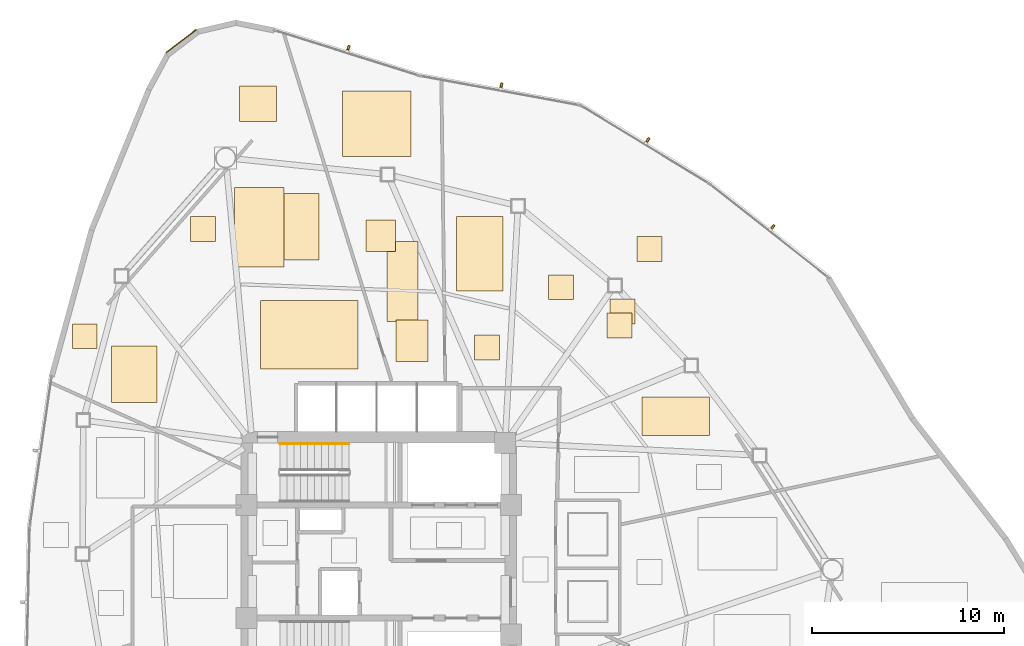
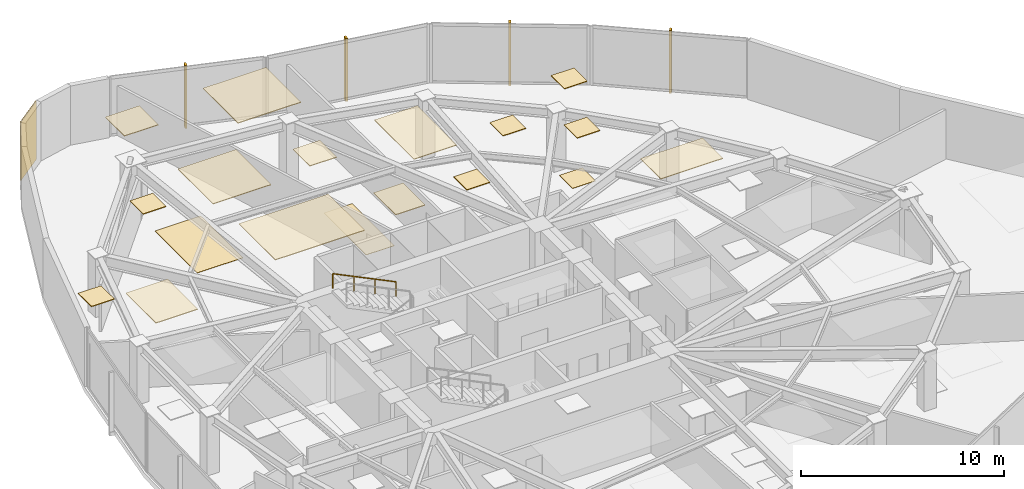
# One storey, part 16 of 16: 19 coverings, 4 shading devices, 1 railing.
"""IFC4 building model written with IfcOpenShell, lengths in metres."""

import ifcopenshell
import ifcopenshell.guid

model = None  # the IFC model being written
_history = None  # IfcOwnerHistory: only IFC2X3 demands one
_inside = {}  # id of a spatial element -> (the spatial element, [elements in it])
_under = {}  # id of a project, library or spatial element -> (it, [spatial elements below it])
_declared = {}  # id of a project -> (the project, [libraries it declares])
_typed = {}  # id of a type object -> (the type object, [elements of that type])
_made_of = {}  # id of a material, layer set ... -> (it, [elements and type objects made of it])


def new_model(schema):
    """Start an empty IFC model of exactly this schema.

    Asked for "IFC4X3", IfcOpenShell would pick the latest addendum, in which some entities
    have other attributes; the version numbers below select the first issue.
    IFC2X3 requires an IfcOwnerHistory on every rooted entity: one is made here for all.
    """
    global model, _history
    if schema == "IFC4X3":
        model = ifcopenshell.file(schema_version=(4, 3, 0, 0))
    else:
        model = ifcopenshell.file(schema=schema)
    _inside.clear()
    _under.clear()
    _declared.clear()
    _typed.clear()
    _made_of.clear()
    _history = None
    if model.schema == "IFC2X3":
        org = make("IfcOrganization", Name="unknown")
        user = make(
            "IfcPersonAndOrganization",
            ThePerson=make("IfcPerson", FamilyName="unknown"),
            TheOrganization=org,
        )
        app = make(
            "IfcApplication",
            ApplicationDeveloper=org,
            Version="unknown",
            ApplicationFullName="unknown",
            ApplicationIdentifier="unknown",
        )
        _history = make(
            "IfcOwnerHistory",
            OwningUser=user,
            OwningApplication=app,
            ChangeAction="ADDED",
            CreationDate=0,
        )
    return model


def make(cls, **values):
    """One entity of the class cls with the attributes given. An attribute that is None is left unset."""
    return model.create_entity(
        cls, **{name: value for name, value in values.items() if value is not None}
    )


def rooted(cls, **values):
    """An entity with a GlobalId (a new one), such as an element, a storey or a relation."""
    return make(cls, GlobalId=ifcopenshell.guid.new(), OwnerHistory=_history, **values)


def si_unit(unit_type, name, prefix=None):
    """IfcSIUnit, for example si_unit("LENGTHUNIT", "METRE", prefix="MILLI")."""
    return make("IfcSIUnit", UnitType=unit_type, Prefix=prefix, Name=name)


def assignment(units):
    """IfcUnitAssignment: the units of a project."""
    return None if units is None else make("IfcUnitAssignment", Units=units)


def point(xyz):
    """IfcCartesianPoint."""
    return None if xyz is None else make("IfcCartesianPoint", Coordinates=xyz)


def direction(xyz):
    """IfcDirection."""
    return None if xyz is None else make("IfcDirection", DirectionRatios=xyz)


def frame(location, z_axis=None, x_axis=None):
    """IfcAxis2Placement3D, a coordinate frame: its origin and axes. An axis left out is left unset."""
    return make(
        "IfcAxis2Placement3D",
        Location=point(location),
        Axis=direction(z_axis),
        RefDirection=direction(x_axis),
    )


def frame_2d(location, x_axis=None):
    """IfcAxis2Placement2D, a coordinate frame in the plane: its origin and x axis."""
    return make(
        "IfcAxis2Placement2D", Location=point(location), RefDirection=direction(x_axis)
    )


def origin():
    """The frame at (0, 0, 0) with its axes left unset."""
    return frame((0.0, 0.0, 0.0))


def origin_2d():
    """The frame at (0, 0) in the plane with its x axis left unset."""
    return frame_2d((0.0, 0.0))


def place(relative_to, where):
    """IfcLocalPlacement: puts the frame where relative to a parent placement (None: the world)."""
    return make(
        "IfcLocalPlacement", PlacementRelTo=relative_to, RelativePlacement=where
    )


def context(
    kind, dimensions, precision=None, world=None, true_north=None, identifier=None
):
    """IfcGeometricRepresentationContext, for example the 3D "Model" context."""
    return make(
        "IfcGeometricRepresentationContext",
        ContextIdentifier=identifier,
        ContextType=kind,
        CoordinateSpaceDimension=dimensions,
        Precision=precision,
        WorldCoordinateSystem=world,
        TrueNorth=true_north,
    )


def subcontext(parent, identifier, kind, view, scale=None):
    """IfcGeometricRepresentationSubContext, for example "Body" below "Model"."""
    return make(
        "IfcGeometricRepresentationSubContext",
        ContextIdentifier=identifier,
        ContextType=kind,
        ParentContext=parent,
        TargetScale=scale,
        TargetView=view,
    )


def project(units=None, contexts=None):
    """IfcProject with its units and contexts."""
    return rooted(
        "IfcProject",
        Name="project",
        RepresentationContexts=contexts,
        UnitsInContext=assignment(units),
    )


def spatial(cls, under=None, at=None, **own):
    """A site, building, storey or space (cls), placed at a placement, below another one or the project."""
    s = rooted(cls, ObjectPlacement=at, **own)
    if under is not None:
        _under.setdefault(under.id(), (under, []))[1].append(s)
    return s


def polyline(points):
    """IfcPolyline through the points."""
    return make("IfcPolyline", Points=[point(p) for p in points])


def profile(cls, at=None, kind="AREA", **sizes):
    """A parametric profile (cls). Its sizes go by their IFC names, for example OverallWidth=200.0."""
    return make(cls, ProfileType=kind, Position=at, **sizes)


def rectangle(**sizes):
    """IfcRectangleProfileDef."""
    return profile("IfcRectangleProfileDef", **sizes)


def outline(outer, holes=None, kind="AREA"):
    """IfcArbitraryClosedProfileDef: a profile drawn as a closed curve; with holes, ...WithVoids."""
    if holes is None:
        return make("IfcArbitraryClosedProfileDef", ProfileType=kind, OuterCurve=outer)
    return make(
        "IfcArbitraryProfileDefWithVoids",
        ProfileType=kind,
        OuterCurve=outer,
        InnerCurves=holes,
    )


def extrude(swept, where, along, depth):
    """IfcExtrudedAreaSolid: the profile swept, set in the frame where, extruded along a direction by depth."""
    return make(
        "IfcExtrudedAreaSolid",
        SweptArea=swept,
        Position=where,
        ExtrudedDirection=direction(along),
        Depth=depth,
    )


def shape(context_of_items, identifier, shape_type, items):
    """IfcShapeRepresentation: the items that make up one representation, for example the "Body"."""
    return make(
        "IfcShapeRepresentation",
        ContextOfItems=context_of_items,
        RepresentationIdentifier=identifier,
        RepresentationType=shape_type,
        Items=items,
    )


def source(mapping_origin, context_of_items, identifier, shape_type, items):
    """IfcRepresentationMap: a shape defined once, which mapped items show again and again."""
    return make(
        "IfcRepresentationMap",
        MappingOrigin=mapping_origin,
        MappedRepresentation=shape(context_of_items, identifier, shape_type, items),
    )


def transform(
    local_origin,
    x_axis=None,
    y_axis=None,
    z_axis=None,
    scale=None,
    scale2=None,
    scale3=None,
    uniform=True,
):
    """IfcCartesianTransformationOperator3D, or its non-uniform kind. x_axis, y_axis, z_axis: its Axis1, 2, 3."""
    if uniform:
        return make(
            "IfcCartesianTransformationOperator3D",
            Axis1=direction(x_axis),
            Axis2=direction(y_axis),
            LocalOrigin=point(local_origin),
            Scale=scale,
            Axis3=direction(z_axis),
        )
    return make(
        "IfcCartesianTransformationOperator3DnonUniform",
        Axis1=direction(x_axis),
        Axis2=direction(y_axis),
        LocalOrigin=point(local_origin),
        Scale=scale,
        Axis3=direction(z_axis),
        Scale2=scale2,
        Scale3=scale3,
    )


def mapped(mapping_source, mapping_target):
    """IfcMappedItem: shows the shape of a source again, moved by a transform."""
    return make(
        "IfcMappedItem", MappingSource=mapping_source, MappingTarget=mapping_target
    )


def material(Name=None, Category=None):
    """IfcMaterial."""
    return make("IfcMaterial", Name=Name, Category=Category)


def layer(
    of_material, thickness, ventilated=None, Name=None, Category=None, Priority=None
):
    """IfcMaterialLayer: one layer of a wall or slab, of a material (None: an air gap)."""
    return make(
        "IfcMaterialLayer",
        Material=of_material,
        LayerThickness=thickness,
        IsVentilated=ventilated,
        Name=Name,
        Category=Category,
        Priority=Priority,
    )


def layer_set(layers, Name=None):
    """IfcMaterialLayerSet."""
    return make("IfcMaterialLayerSet", MaterialLayers=layers, LayerSetName=Name)


def made_of(thing, what):
    """Note that an element or type object is made of a material, layer set ...; save() writes the relation."""
    if what is not None:
        _made_of.setdefault(what.id(), (what, []))[1].append(thing)
    return thing


def type_object(cls, material=None, **own):
    """A type object (cls), such as IfcWallType, which elements share."""
    return made_of(rooted(cls, **own), material)


def type_shapes(of_type, sources):
    """Give a type object the sources (RepresentationMaps) that its elements show as mapped items."""
    of_type.RepresentationMaps = sources


def element(
    cls,
    number,
    at=None,
    inside=None,
    cuts=None,
    type_object=None,
    material=None,
    context=None,
    identifier="Body",
    shape_type=None,
    held_by="IfcProductDefinitionShape",
    body=None,
    shapes=None,
    **own,
):
    """One element of the class cls, such as IfcWall. Its Tag is "e" and its number.

    at: its placement. inside: the storey or other place that contains it. cuts: it is an
    opening in that element (IfcRelVoidsElement). A single representation is given by context,
    identifier, shape_type and body (its items); several are given by shapes. held_by: the class
    of the entity that holds the representations. save() writes the other relations.
    """
    e = rooted(cls, Tag="e%d" % number, ObjectPlacement=at, **own)
    if body is not None:
        shapes = [shape(context, identifier, shape_type, body)]
    if shapes is not None:
        e.Representation = make(held_by, Representations=shapes)
    if inside is not None:
        _inside.setdefault(inside.id(), (inside, []))[1].append(e)
    if cuts is not None:
        rooted(
            "IfcRelVoidsElement", RelatingBuildingElement=cuts, RelatedOpeningElement=e
        )
    if type_object is not None:
        _typed.setdefault(type_object.id(), (type_object, []))[1].append(e)
    return made_of(e, material)


def aggregate(whole, parts):
    """IfcRelAggregates: a whole, such as a stair, and the parts it consists of."""
    return rooted("IfcRelAggregates", RelatingObject=whole, RelatedObjects=parts)


def save(model, path):
    """Write the relations noted so far, then the file.

    IfcRelAggregates (storeys below a building ...), IfcRelContainedInSpatialStructure (elements
    in a storey), IfcRelDefinesByType, IfcRelAssociatesMaterial and IfcRelDeclares: one each for
    every whole, place, type object, material and project.
    """
    for whole, parts in _under.values():
        aggregate(whole, parts)
    for where, things in _inside.values():
        rooted(
            "IfcRelContainedInSpatialStructure",
            RelatedElements=things,
            RelatingStructure=where,
        )
    for kind, things in _typed.values():
        rooted("IfcRelDefinesByType", RelatedObjects=things, RelatingType=kind)
    for what, things in _made_of.values():
        rooted("IfcRelAssociatesMaterial", RelatedObjects=things, RelatingMaterial=what)
    for by, libraries in _declared.values():
        rooted("IfcRelDeclares", RelatingContext=by, RelatedDefinitions=libraries)
    model.write(path)


model = new_model("IFC4")

# Units and contexts
model_context = context("Model", 3, precision=1e-05, world=origin(), true_north=direction((0.0, 1.0)))
body_context = subcontext(model_context, "Body", "Model", "MODEL_VIEW")
ifc_project = project(units=[si_unit("LENGTHUNIT", "METRE"), si_unit("AREAUNIT", "SQUARE_METRE"), si_unit("VOLUMEUNIT", "CUBIC_METRE"), si_unit("PLANEANGLEUNIT", "RADIAN"), si_unit("MASSUNIT", "GRAM", prefix="KILO")], contexts=[model_context])

# Site, building, storey
site_placement = place(None, origin())
site = spatial("IfcSite", under=ifc_project, at=site_placement, CompositionType="ELEMENT")
building_placement = place(site_placement, origin())
building = spatial("IfcBuilding", under=site, at=building_placement, Name="Tavelor Broadcast Tower", CompositionType="ELEMENT")
storey_placement = place(building_placement, frame((0.0, 0.0, 138.699951171875)))
storey = spatial("IfcBuildingStorey", under=building, at=storey_placement, Name="L32", CompositionType="ELEMENT", Elevation=138.699951171875)

# Covering
ifc_material_1 = material(Name="Copper-Bronze Anodized Aluminium", Category="aluminium")
ifc_layer_1 = layer(ifc_material_1, 0.050048828125)
ifc_layer_set_1 = layer_set([ifc_layer_1], Name="Copper-Bronze Anodized Aluminium")
covering_type_1 = type_object("IfcCoveringType", Name="Champagne-Bronze Corner Pier Metal Cladding 50 mm", PredefinedType="CLADDING", material=ifc_layer_set_1)
covering_1_placement = place(storey_placement, frame((39.687744140625, 72.17138671875, 0.02001953125), z_axis=(0.0, 0.0, 1.0), x_axis=(-0.794944353388, -0.606682351002, 0.0)))
element("IfcCovering", 1, at=covering_1_placement, inside=storey, type_object=covering_type_1, Name="L32 Champagne-Bronze Corner Cladding 03", PredefinedType="CLADDING", context=body_context, shape_type="SweptSolid", body=[
    extrude(rectangle(XDim=1.98486328125, YDim=0.050048828125, at=origin_2d()), origin(), (0.0, 0.0, 1.0), 3.510009765625),
])

# Railing
ifc_material_2 = material(Name="Steel S355", Category="steel")
railing_type = type_object("IfcRailingType", Name="Continuous Brushed Stainless Handrail 900 mm", PredefinedType="HANDRAIL", material=ifc_material_2)
railing_placement = place(storey_placement, frame((48.449951171875, 51.14990234375, 2.10009765625)))
element("IfcRailing", 2, at=railing_placement, inside=storey, type_object=railing_type, Name="L32 ST1 stair handrail 2", PredefinedType="HANDRAIL", context=body_context, shape_type="SweptSolid", body=[
    extrude(rectangle(XDim=0.048095703125, YDim=0.048095703125, at=origin_2d()), frame((0.0, 0.0, 0.8759765625), z_axis=(-0.899360859046, 0.0, 0.437207096483), x_axis=(0.0, -1.0, 0.0)), (0.0, 0.0, 1.0), 4.002685546875),
    extrude(rectangle(XDim=0.0419921875, YDim=0.0419921875, at=origin_2d()), origin(), (0.0, 0.0, 1.0), 0.851806640625),
    extrude(rectangle(XDim=0.0419921875, YDim=0.0419921875, at=origin_2d()), frame((-1.199951171875, 0.0, 0.583251953125)), (0.0, 0.0, 1.0), 0.851806640625),
    extrude(rectangle(XDim=0.0419921875, YDim=0.0419921875, at=origin_2d()), frame((-2.39990234375, 0.0, 1.166748046875)), (0.0, 0.0, 1.0), 0.851806640625),
    extrude(rectangle(XDim=0.0419921875, YDim=0.0419921875, at=origin_2d()), frame((-3.599853515625, 0.0, 1.75)), (0.0, 0.0, 1.0), 0.851806640625),
])

# Coverings
ifc_material_3 = material(Name="Acoustic Nylon Carpet Tile")
ifc_layer_2 = layer(ifc_material_3, 0.02001953125)
ifc_layer_set_2 = layer_set([ifc_layer_2], Name="Acoustic Nylon Carpet Tile")
covering_type_2 = type_object("IfcCoveringType", Name="Heavy-Duty Acoustic Broadcast Carpet Tile 20 mm", PredefinedType="FLOORING", material=ifc_layer_set_2)
covering_2_placement = place(storey_placement, origin())
element("IfcCovering", 3, at=covering_2_placement, inside=storey, type_object=covering_type_2, Name="L32 Broadcast Floor Finish 0457", PredefinedType="FLOORING", context=body_context, shape_type="SweptSolid", body=[
    extrude(outline(polyline([(42.47216796875, 60.36572265625), (45.070556640625, 60.36572265625), (45.070556640625, 64.52490234375), (42.47216796875, 64.52490234375), (42.47216796875, 60.36572265625)])), origin(), (0.0, 0.0, 1.0), 0.02001953125),
])
covering_3_placement = place(storey_placement, origin())
element("IfcCovering", 4, at=covering_3_placement, inside=storey, type_object=covering_type_2, Name="L32 Broadcast Floor Finish 0458", PredefinedType="FLOORING", context=body_context, shape_type="SweptSolid", body=[
    extrude(outline(polyline([(50.44091796875, 57.54248046875), (52.0478515625, 57.54248046875), (52.0478515625, 61.69970703125), (50.44091796875, 61.69970703125), (50.44091796875, 57.54248046875)])), origin(), (0.0, 0.0, 1.0), 0.02001953125),
])
covering_4_placement = place(storey_placement, origin())
element("IfcCovering", 5, at=covering_4_placement, inside=storey, type_object=covering_type_2, Name="L32 Broadcast Floor Finish 0459", PredefinedType="FLOORING", context=body_context, shape_type="SweptSolid", body=[
    extrude(outline(polyline([(62.08935546875, 57.404296875), (63.389404296875, 57.404296875), (63.389404296875, 58.7041015625), (62.08935546875, 58.7041015625), (62.08935546875, 57.404296875)])), origin(), (0.0, 0.0, 1.0), 0.02001953125),
])
ifc_material_4 = material(Name="Acoustic Mineral Fibre Tile")
ifc_layer_3 = layer(ifc_material_4, 0.0400390625)
ifc_layer_set_3 = layer_set([ifc_layer_3], Name="Acoustic Mineral Fibre Tile")
covering_type_3 = type_object("IfcCoveringType", Name="Suspended Acoustic Mineral-Fibre Office Ceiling 40 mm", PredefinedType="CEILING", material=ifc_layer_set_3)
covering_5_placement = place(storey_placement, frame((0.0, 0.0, 3.510009765625)))
element("IfcCovering", 6, at=covering_5_placement, inside=storey, type_object=covering_type_3, Name="L32 Suspended Acoustic Ceiling 1312", PredefinedType="CEILING", context=body_context, shape_type="SweptSolid", body=[
    extrude(outline(polyline([(34.006591796875, 56.114501953125), (35.306396484375, 56.114501953125), (35.306396484375, 57.41455078125), (34.006591796875, 57.41455078125), (34.006591796875, 56.114501953125)])), origin(), (0.0, 0.0, 1.0), 0.0400390625),
])
covering_6_placement = place(storey_placement, frame((0.0, 0.0, 3.510009765625)))
element("IfcCovering", 7, at=covering_6_placement, inside=storey, type_object=covering_type_3, Name="L32 Suspended Acoustic Ceiling 1313", PredefinedType="CEILING", context=body_context, shape_type="SweptSolid", body=[
    extrude(outline(polyline([(36.046875, 53.302490234375), (38.423583984375, 53.302490234375), (38.423583984375, 56.264404296875), (36.046875, 56.264404296875), (36.046875, 53.302490234375)])), origin(), (0.0, 0.0, 1.0), 0.0400390625),
])
covering_7_placement = place(storey_placement, frame((0.0, 0.0, 3.510009765625)))
element("IfcCovering", 8, at=covering_7_placement, inside=storey, type_object=covering_type_3, Name="L32 Suspended Acoustic Ceiling 1314", PredefinedType="CEILING", context=body_context, shape_type="SweptSolid", body=[
    extrude(outline(polyline([(40.17724609375, 61.71240234375), (41.477294921875, 61.71240234375), (41.477294921875, 63.012451171875), (40.17724609375, 63.012451171875), (40.17724609375, 61.71240234375)])), origin(), (0.0, 0.0, 1.0), 0.0400390625),
])
covering_8_placement = place(storey_placement, frame((0.0, 0.0, 3.510009765625)))
element("IfcCovering", 9, at=covering_8_placement, inside=storey, type_object=covering_type_3, Name="L32 Suspended Acoustic Ceiling 1315", PredefinedType="CEILING", context=body_context, shape_type="SweptSolid", body=[
    extrude(outline(polyline([(43.58984375, 60.748291015625), (46.89697265625, 60.748291015625), (46.89697265625, 64.21240234375), (43.58984375, 64.21240234375), (43.58984375, 60.748291015625)])), origin(), (0.0, 0.0, 1.0), 0.0400390625),
])
covering_9_placement = place(storey_placement, frame((0.0, 0.0, 3.510009765625)))
element("IfcCovering", 10, at=covering_9_placement, inside=storey, type_object=covering_type_3, Name="L32 Suspended Acoustic Ceiling 1316", PredefinedType="CEILING", context=body_context, shape_type="SweptSolid", body=[
    extrude(outline(polyline([(42.72412109375, 67.96875), (44.6533203125, 67.96875), (44.6533203125, 69.841796875), (42.72412109375, 69.841796875), (42.72412109375, 67.96875)])), origin(), (0.0, 0.0, 1.0), 0.0400390625),
])
covering_10_placement = place(storey_placement, frame((0.0, 0.0, 3.510009765625)))
element("IfcCovering", 11, at=covering_10_placement, inside=storey, type_object=covering_type_3, Name="L32 Suspended Acoustic Ceiling 1317", PredefinedType="CEILING", context=body_context, shape_type="SweptSolid", body=[
    extrude(outline(polyline([(43.840576171875, 55.055908203125), (48.92138671875, 55.055908203125), (48.92138671875, 58.6298828125), (43.840576171875, 58.6298828125), (43.840576171875, 55.055908203125)])), origin(), (0.0, 0.0, 1.0), 0.0400390625),
])
covering_11_placement = place(storey_placement, frame((0.0, 0.0, 3.510009765625)))
element("IfcCovering", 12, at=covering_11_placement, inside=storey, type_object=covering_type_3, Name="L32 Suspended Acoustic Ceiling 1318", PredefinedType="CEILING", context=body_context, shape_type="SweptSolid", body=[
    extrude(outline(polyline([(48.122314453125, 66.1376953125), (51.7001953125, 66.1376953125), (51.7001953125, 69.5791015625), (48.122314453125, 69.5791015625), (48.122314453125, 66.1376953125)])), origin(), (0.0, 0.0, 1.0), 0.0400390625),
])
covering_12_placement = place(storey_placement, frame((0.0, 0.0, 3.510009765625)))
element("IfcCovering", 13, at=covering_12_placement, inside=storey, type_object=covering_type_3, Name="L32 Suspended Acoustic Ceiling 1319", PredefinedType="CEILING", context=body_context, shape_type="SweptSolid", body=[
    extrude(outline(polyline([(50.903564453125, 55.44580078125), (52.579833984375, 55.44580078125), (52.579833984375, 57.619384765625), (50.903564453125, 57.619384765625), (50.903564453125, 55.44580078125)])), origin(), (0.0, 0.0, 1.0), 0.0400390625),
])
covering_13_placement = place(storey_placement, frame((0.0, 0.0, 3.510009765625)))
element("IfcCovering", 14, at=covering_13_placement, inside=storey, type_object=covering_type_3, Name="L32 Suspended Acoustic Ceiling 1320", PredefinedType="CEILING", context=body_context, shape_type="SweptSolid", body=[
    extrude(outline(polyline([(49.339599609375, 61.17822265625), (50.871826171875, 61.17822265625), (50.871826171875, 62.84130859375), (49.339599609375, 62.84130859375), (49.339599609375, 61.17822265625)])), origin(), (0.0, 0.0, 1.0), 0.0400390625),
])
covering_14_placement = place(storey_placement, frame((0.0, 0.0, 3.510009765625)))
element("IfcCovering", 15, at=covering_14_placement, inside=storey, type_object=covering_type_3, Name="L32 Suspended Acoustic Ceiling 1321", PredefinedType="CEILING", context=body_context, shape_type="SweptSolid", body=[
    extrude(outline(polyline([(55.005126953125, 55.534912109375), (56.30517578125, 55.534912109375), (56.30517578125, 56.834716796875), (55.005126953125, 56.834716796875), (55.005126953125, 55.534912109375)])), origin(), (0.0, 0.0, 1.0), 0.0400390625),
])
covering_15_placement = place(storey_placement, frame((0.0, 0.0, 3.510009765625)))
element("IfcCovering", 16, at=covering_15_placement, inside=storey, type_object=covering_type_3, Name="L32 Suspended Acoustic Ceiling 1322", PredefinedType="CEILING", context=body_context, shape_type="SweptSolid", body=[
    extrude(outline(polyline([(54.060791015625, 59.122314453125), (56.496826171875, 59.122314453125), (56.496826171875, 63.00634765625), (54.060791015625, 63.00634765625), (54.060791015625, 59.122314453125)])), origin(), (0.0, 0.0, 1.0), 0.0400390625),
])
covering_16_placement = place(storey_placement, frame((0.0, 0.0, 3.510009765625)))
element("IfcCovering", 17, at=covering_16_placement, inside=storey, type_object=covering_type_3, Name="L32 Suspended Acoustic Ceiling 1323", PredefinedType="CEILING", context=body_context, shape_type="SweptSolid", body=[
    extrude(outline(polyline([(63.4931640625, 60.6591796875), (64.793212890625, 60.6591796875), (64.793212890625, 61.959228515625), (63.4931640625, 61.959228515625), (63.4931640625, 60.6591796875)])), origin(), (0.0, 0.0, 1.0), 0.0400390625),
])
covering_17_placement = place(storey_placement, frame((0.0, 0.0, 3.510009765625)))
element("IfcCovering", 18, at=covering_17_placement, inside=storey, type_object=covering_type_3, Name="L32 Suspended Acoustic Ceiling 1324", PredefinedType="CEILING", context=body_context, shape_type="SweptSolid", body=[
    extrude(outline(polyline([(63.73876953125, 51.58544921875), (67.26220703125, 51.58544921875), (67.26220703125, 53.59423828125), (63.73876953125, 53.59423828125), (63.73876953125, 51.58544921875)])), origin(), (0.0, 0.0, 1.0), 0.0400390625),
])
covering_18_placement = place(storey_placement, frame((0.0, 0.0, 3.510009765625)))
element("IfcCovering", 19, at=covering_18_placement, inside=storey, type_object=covering_type_3, Name="L32 Suspended Acoustic Ceiling 1327", PredefinedType="CEILING", context=body_context, shape_type="SweptSolid", body=[
    extrude(outline(polyline([(61.929931640625, 56.683837890625), (63.22998046875, 56.683837890625), (63.22998046875, 57.98388671875), (61.929931640625, 57.98388671875), (61.929931640625, 56.683837890625)])), origin(), (0.0, 0.0, 1.0), 0.0400390625),
])
covering_19_placement = place(storey_placement, frame((0.0, 0.0, 3.510009765625)))
element("IfcCovering", 20, at=covering_19_placement, inside=storey, type_object=covering_type_3, Name="L32 Suspended Acoustic Ceiling 1328", PredefinedType="CEILING", context=body_context, shape_type="SweptSolid", body=[
    extrude(outline(polyline([(58.86669921875, 58.669921875), (60.166748046875, 58.669921875), (60.166748046875, 59.969970703125), (58.86669921875, 59.969970703125), (58.86669921875, 58.669921875)])), origin(), (0.0, 0.0, 1.0), 0.0400390625),
])

# Shading devices
ifc_material_5 = material(Name="Kiln-Fired Glazed Terracotta", Category="masonry")
shading_device_type = type_object("IfcShadingDeviceType", Name="Extruded Terracotta Baguette Sun-Screen 110x240", PredefinedType="JALOUSIE", material=ifc_material_5)
shared_shape = source(origin(), body_context, "Body", "SweptSolid", [
    extrude(rectangle(XDim=0.110107421875, YDim=0.239990234375, at=origin_2d()), origin(), (0.0, 0.0, 1.0), 3.7900390625),
])
type_shapes(shading_device_type, [shared_shape])
for number, where, z_axis, x_axis, name in (
    (21, (70.585693359375, 62.482421875, -0.260009765625), (0.0, 0.0, 1.0), (-0.784992666412, 0.61950505541, 0.0), "L32 Terracotta Baguette Fin 321"),
    (22, (64.06494140625, 67.014404296875, -0.260009765625), (0.0, 0.0, 1.0), (-0.854277431699, 0.519817342621, 0.0), "L32 Terracotta Baguette Fin 322"),
    (23, (56.407470703125, 69.873291015625, -0.260009765625), (0.0, 0.0, 1.0), (-0.983476816388, 0.1810341173, 0.0), "L32 Terracotta Baguette Fin 323"),
    (24, (48.426513671875, 71.832275390625, -0.260009765625), (0.0, 0.0, 1.0), (-0.954135885454, 0.299373866742, 0.0), "L32 Terracotta Baguette Fin 324"),
):
    element("IfcShadingDevice", number, at=place(storey_placement, frame(where, z_axis=z_axis, x_axis=x_axis)), inside=storey, type_object=shading_device_type, Name=name, PredefinedType="JALOUSIE", context=body_context, shape_type="MappedRepresentation", body=[
        mapped(shared_shape, transform((0.0, 0.0, 0.0), scale=1.0)),
    ])

save(model, "model.ifc")
